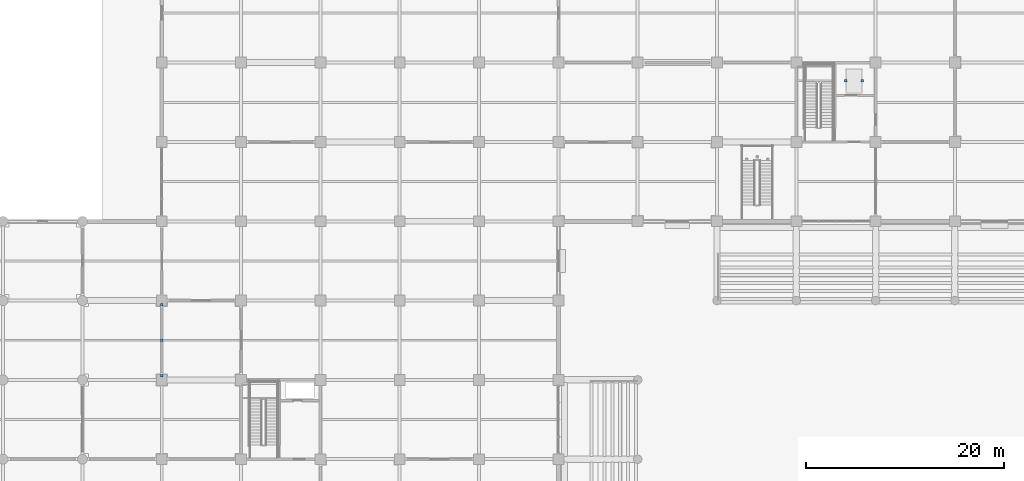
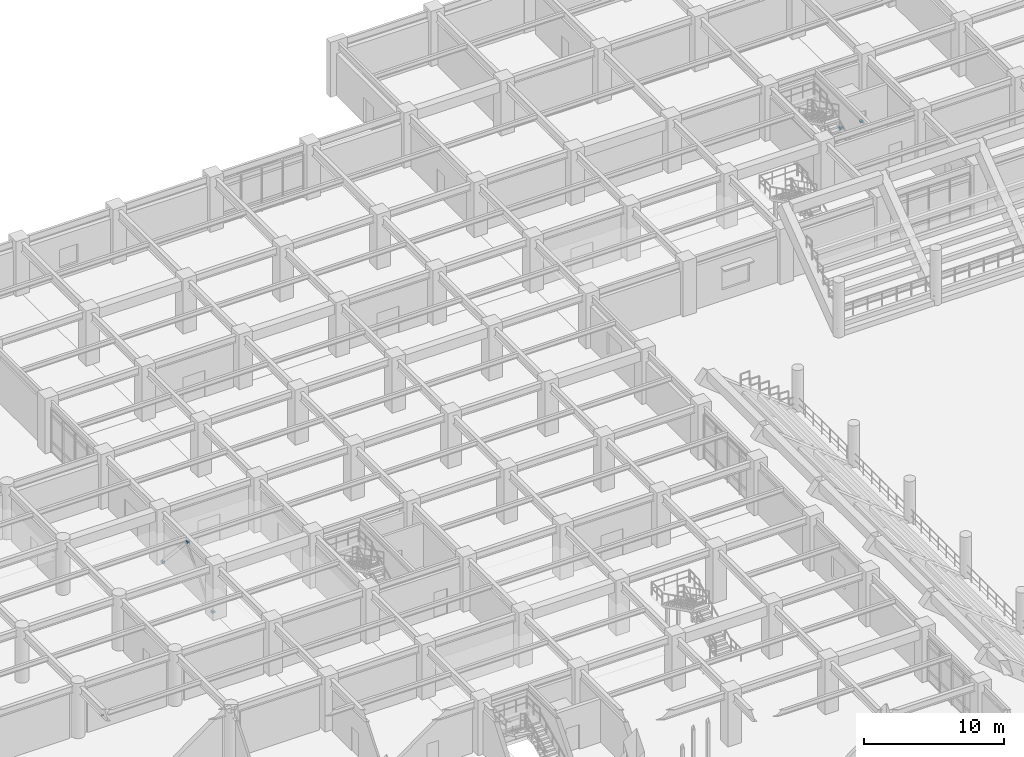
# One storey, part 102 of 125: 5 discrete accessories.
"""IFC4 building model written with IfcOpenShell, lengths in metres."""

from ifc_helpers import new_model, si_unit, direction, frame, origin, origin_2d, place, context, subcontext, project, spatial, rectangle, extrude, material, layer, layer_set, type_object, element, save


model = new_model("IFC4")

# Units and contexts
model_context = context("Model", 3, precision=1e-05, world=origin(), true_north=direction((0.0, 1.0)))
body_context = subcontext(model_context, "Body", "Model", "MODEL_VIEW")
ifc_project = project(units=[si_unit("LENGTHUNIT", "METRE"), si_unit("AREAUNIT", "SQUARE_METRE"), si_unit("VOLUMEUNIT", "CUBIC_METRE"), si_unit("PLANEANGLEUNIT", "RADIAN"), si_unit("MASSUNIT", "GRAM", prefix="KILO")], contexts=[model_context])

# Site, building, storey
site_placement = place(None, origin())
site = spatial("IfcSite", under=ifc_project, at=site_placement, CompositionType="ELEMENT")
building_placement = place(site_placement, origin())
building = spatial("IfcBuilding", under=site, at=building_placement, Name="Haebicheon Civic Stadium", CompositionType="ELEMENT")
storey_placement = place(building_placement, origin())
storey = spatial("IfcBuildingStorey", under=building, at=storey_placement, Name="L01", CompositionType="ELEMENT", Elevation=0.0)

# Discrete accessories
ifc_material_1 = material(Name="White painted steel SM490", Category="steel")
ifc_layer_1 = layer(ifc_material_1, 0.179931640625, Name="White painted steel SM490")
ifc_layer_set_1 = layer_set([ifc_layer_1], Name="White painted steel SM490")
discrete_accessory_type_1 = type_object("IfcDiscreteAccessoryType", Name="BRK-END-PLT", PredefinedType="BRACKET", material=ifc_layer_set_1)
for number, where, z_axis, x_axis, name in (
    (1, (24.0, 136.419921875, -0.0498046875), (0.0, 0.0, 1.0), (1.0, 0.0, 0.0), "Brace L01-03-17 bolted end connection plate"),
    (2, (24.0, 143.580078125, -0.0498046875), (0.0, 0.0, 1.0), (1.0, 0.0, 0.0), "Brace L01-03-17 bolted end connection plate"),
    (3, (24.0, 140.0, 3.85009765625), (0.0, 0.0, 1.0), (1.0, 0.0, 0.0), "Brace L01-03-17 bolted end connection plate"),
):
    element("IfcDiscreteAccessory", number, at=place(storey_placement, frame(where, z_axis=z_axis, x_axis=x_axis)), inside=storey, type_object=discrete_accessory_type_1, material=ifc_layer_set_1, Name=name, PredefinedType="BRACKET", context=body_context, shape_type="SweptSolid", body=[
        extrude(rectangle(XDim=0.239990234375, YDim=0.239990234375, at=origin_2d()), origin(), (0.0, 0.0, 1.0), 0.179931640625),
    ])
ifc_material_2 = material(Name="Stainless steel 316", Category="steel")
ifc_layer_2 = layer(ifc_material_2, 0.139892578125, Name="Stainless steel 316")
ifc_layer_set_2 = layer_set([ifc_layer_2], Name="Stainless steel 316")
discrete_accessory_type_2 = type_object("IfcDiscreteAccessoryType", Name="BRK-LVR-CLEAT", PredefinedType="BRACKET", material=ifc_layer_set_2)
for number, where, z_axis, x_axis, name in (
    (4, (92.989990234375, 166.179931640625, -0.06005859375), (0.0, 0.0, 1.0), (1.0, 0.0, 0.0), "LF-06 shaft guide-rail bracket W"),
    (5, (94.64990234375, 166.179931640625, -0.06005859375), (0.0, 0.0, 1.0), (1.0, 0.0, 0.0), "LF-06 shaft guide-rail bracket E"),
):
    element("IfcDiscreteAccessory", number, at=place(storey_placement, frame(where, z_axis=z_axis, x_axis=x_axis)), inside=storey, type_object=discrete_accessory_type_2, material=ifc_layer_set_2, Name=name, PredefinedType="BRACKET", context=body_context, shape_type="SweptSolid", body=[
        extrude(rectangle(XDim=0.239990234375, YDim=0.239990234375, at=origin_2d()), origin(), (0.0, 0.0, 1.0), 0.159912109375),
    ])

save(model, "model.ifc")
